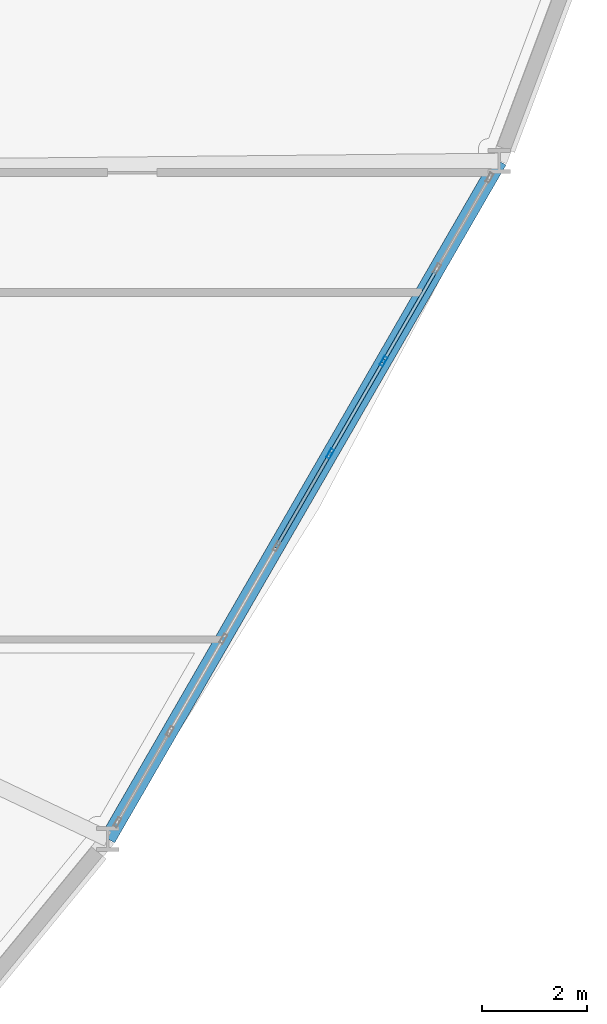
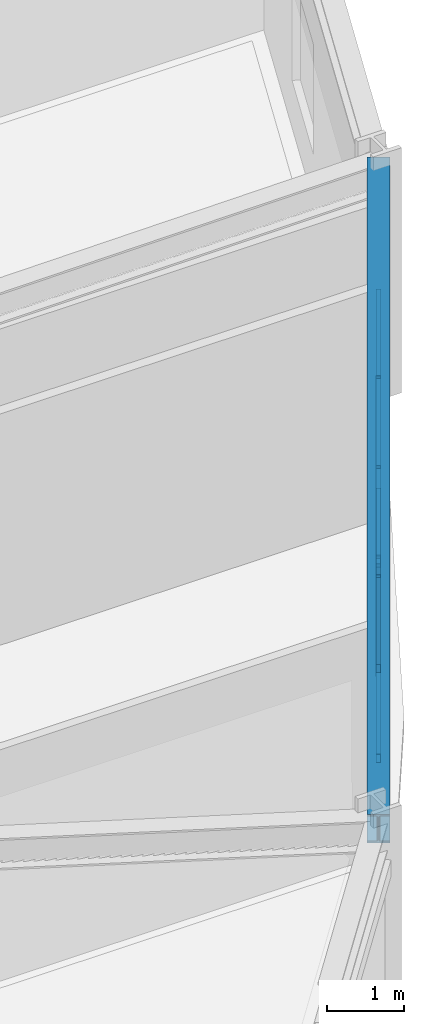
# One storey, part 7 of 20: 9 members, 1 beam, 1 element without a shape of its own.
"""IFC4 building model written with IfcOpenShell, lengths in metres."""

from ifc_helpers import new_model, si_unit, derived_unit, direction, frame, origin, origin_2d, place, context, subcontext, project, spatial, hollow_rectangle, i_section, extrude, source, transform, mapped, material, layer, layer_set, material_profile, profile_set, type_object, element, aggregate, save


model = new_model("IFC4")

# Units and contexts
model_context = context("Model", 3, precision=1e-05, world=origin(), true_north=direction((0.0, 1.0)))
body_context = subcontext(model_context, "Body", "Model", "MODEL_VIEW")
ifc_project = project(units=[si_unit("LENGTHUNIT", "METRE"), si_unit("AREAUNIT", "SQUARE_METRE"), si_unit("VOLUMEUNIT", "CUBIC_METRE"), si_unit("PLANEANGLEUNIT", "RADIAN"), si_unit("MASSUNIT", "GRAM", prefix="KILO"), derived_unit("THERMALTRANSMITTANCEUNIT", [(si_unit("POWERUNIT", "WATT"), 1), (si_unit("LENGTHUNIT", "METRE"), -2), (si_unit("THERMODYNAMICTEMPERATUREUNIT", "KELVIN"), -1)])], contexts=[model_context])

# Site, building, storey
site_placement = place(None, origin())
site = spatial("IfcSite", under=ifc_project, at=site_placement, CompositionType="ELEMENT")
building_placement = place(site_placement, origin())
building = spatial("IfcBuilding", under=site, at=building_placement, Name="Korsvarv Bourse and Concert Hall", CompositionType="ELEMENT")
storey_placement = place(building_placement, frame((0.0, 0.0, 75.60009765625)))
storey = spatial("IfcBuildingStorey", under=building, at=storey_placement, Name="L18", CompositionType="ELEMENT", Elevation=75.60009765625)

# Beam
ifc_material_1 = material(Name="Steel S355", Category="steel")
ifc_material_profile_1 = material_profile(ifc_material_1, i_section(OverallWidth=0.300048828125, OverallDepth=0.449951171875, WebThickness=0.013916015625, FlangeThickness=0.02587890625, FilletRadius=0.02099609375, at=origin_2d()), Name="HEB 450")
ifc_profile_set_1 = profile_set([ifc_material_profile_1], Name="Steel S355")
beam_type = type_object("IfcBeamType", Name="BM-HEB450", PredefinedType="SPANDREL", material=ifc_profile_set_1)
shared_shape_1 = source(origin(), body_context, "Body", "SweptSolid", [
    extrude(i_section(OverallWidth=0.300048828125, OverallDepth=0.449951171875, WebThickness=0.013916015625, FlangeThickness=0.02587890625, FilletRadius=0.02099609375, at=origin_2d()), origin(), (0.0, 0.0, 1.0), 14.937255859375),
])
beam_placement = place(storey_placement, frame((53.671630859375, 19.59814453125, 3.454833984375), z_axis=(0.500006357572, 0.866021733208, 0.0), x_axis=(-0.866021733208, 0.500006357572, 0.0)))
element("IfcBeam", 1, at=beam_placement, inside=storey, type_object=beam_type, Name="L18 beam B-08", PredefinedType="SPANDREL", context=body_context, shape_type="MappedRepresentation", body=[
    mapped(shared_shape_1, transform((0.0, 0.0, 0.0), scale=1.0)),
])

# Curtain wall, members
ifc_material_2 = material(Name="Anodised aluminium and triple low-E glazing", Category="glass")
ifc_layer = layer(ifc_material_2, 0.219970703125)
ifc_layer_set = layer_set([ifc_layer], Name="Anodised aluminium and triple low-E glazing")
curtain_wall_type = type_object("IfcCurtainWallType", Name="CW-SYS-1", PredefinedType="NOTDEFINED", material=ifc_layer_set)
curtain_wall_placement = place(storey_placement, origin())
curtain_wall = element("IfcCurtainWall", 2, at=curtain_wall_placement, inside=storey, type_object=curtain_wall_type, Name="L18 CW1 curtain wall CW-L18-F11", PredefinedType="NOTDEFINED")
ifc_material_3 = material(Name="Extruded aluminium EN AW-6063 T66", Category="aluminium")
ifc_material_profile_2 = material_profile(ifc_material_3, hollow_rectangle(XDim=0.070068359375, YDim=0.18994140625, WallThickness=0.0048828125, at=origin_2d()), Name="ALU-M 70x190")
ifc_profile_set_2 = profile_set([ifc_material_profile_2], Name="Extruded aluminium EN AW-6063 T66")
member_type_1 = type_object("IfcMemberType", Name="CWM-190", PredefinedType="MULLION", material=ifc_profile_set_2)
shared_shape_2 = source(origin(), body_context, "Body", "SweptSolid", [
    extrude(hollow_rectangle(XDim=0.070068359375, YDim=0.18994140625, WallThickness=0.0048828125, at=origin_2d()), origin(), (0.0, 0.0, 1.0), 3.22998046875),
])
member_1_placement = place(storey_placement, frame((57.915771484375, 26.94921875, 0.0), z_axis=(0.0, 0.0, 1.0), x_axis=(-0.866024243871, 0.500002009023, 0.0)))
member_1 = element("IfcMember", 3, at=member_1_placement, type_object=member_type_1, Name="CW1 mullion 5", PredefinedType="MULLION", context=body_context, shape_type="MappedRepresentation", body=[
    mapped(shared_shape_2, transform((0.0, 0.0, 0.0), scale=1.0)),
])
member_2_placement = place(storey_placement, frame((58.935302734375, 28.715087890625, 0.0), z_axis=(0.0, 0.0, 1.0), x_axis=(-0.866024243871, 0.500002009023, 0.0)))
member_2 = element("IfcMember", 4, at=member_2_placement, type_object=member_type_1, Name="CW1 mullion 6", PredefinedType="MULLION", context=body_context, shape_type="MappedRepresentation", body=[
    mapped(shared_shape_2, transform((0.0, 0.0, 0.0), scale=1.0)),
])
ifc_material_profile_3 = material_profile(ifc_material_3, hollow_rectangle(XDim=0.06494140625, YDim=0.139892578125, WallThickness=0.00390625, at=origin_2d()), Name="ALU-T 65x140")
ifc_profile_set_3 = profile_set([ifc_material_profile_3], Name="Extruded aluminium EN AW-6063 T66")
member_type_2 = type_object("IfcMemberType", Name="CWT-140", PredefinedType="USERDEFINED", material=ifc_profile_set_3)
shared_shape_3 = source(origin(), body_context, "Body", "SweptSolid", [
    extrude(hollow_rectangle(XDim=0.06494140625, YDim=0.139892578125, WallThickness=0.00390625, at=origin_2d()), origin(), (0.0, 0.0, 1.0), 1.969482421875),
])
member_3_placement = place(storey_placement, frame((56.91357421875, 25.21337890625, 0.032470703125), z_axis=(0.499965693083, 0.866045209986, 0.0), x_axis=(-0.866045209986, 0.499965693083, 0.0)))
member_3 = element("IfcMember", 5, at=member_3_placement, type_object=member_type_2, Name="CW1 transom 4.1", ObjectType="TRANSOM", PredefinedType="USERDEFINED", context=body_context, shape_type="MappedRepresentation", body=[
    mapped(shared_shape_3, transform((0.0, 0.0, 0.0), scale=1.0)),
])
member_4_placement = place(storey_placement, frame((56.91357421875, 25.21337890625, 3.197509765625), z_axis=(0.499965693083, 0.866045209986, 0.0), x_axis=(-0.866045209986, 0.499965693083, 0.0)))
member_4 = element("IfcMember", 6, at=member_4_placement, type_object=member_type_2, Name="CW1 transom 4.2", ObjectType="TRANSOM", PredefinedType="USERDEFINED", context=body_context, shape_type="MappedRepresentation", body=[
    mapped(shared_shape_3, transform((0.0, 0.0, 0.0), scale=1.0)),
])
member_5_placement = place(storey_placement, frame((58.952880859375, 28.745361328125, 0.032470703125), z_axis=(0.499965693083, 0.866045209986, 0.0), x_axis=(-0.866045209986, 0.499965693083, 0.0)))
member_5 = element("IfcMember", 7, at=member_5_placement, type_object=member_type_2, Name="CW1 transom 6.1", ObjectType="TRANSOM", PredefinedType="USERDEFINED", context=body_context, shape_type="MappedRepresentation", body=[
    mapped(shared_shape_3, transform((0.0, 0.0, 0.0), scale=1.0)),
])
member_6_placement = place(storey_placement, frame((58.952880859375, 28.745361328125, 3.197509765625), z_axis=(0.499965693083, 0.866045209986, 0.0), x_axis=(-0.866045209986, 0.499965693083, 0.0)))
member_6 = element("IfcMember", 8, at=member_6_placement, type_object=member_type_2, Name="CW1 transom 6.2", ObjectType="TRANSOM", PredefinedType="USERDEFINED", context=body_context, shape_type="MappedRepresentation", body=[
    mapped(shared_shape_3, transform((0.0, 0.0, 0.0), scale=1.0)),
])
shared_shape_4 = source(origin(), body_context, "Body", "SweptSolid", [
    extrude(hollow_rectangle(XDim=0.06494140625, YDim=0.139892578125, WallThickness=0.00390625, at=origin_2d()), origin(), (0.0, 0.0, 1.0), 1.96923828125),
])
member_7_placement = place(storey_placement, frame((57.933349609375, 26.9794921875, 0.032470703125), z_axis=(0.500019375444, 0.866014217078, 0.0), x_axis=(-0.866014217078, 0.500019375444, 0.0)))
member_7 = element("IfcMember", 9, at=member_7_placement, type_object=member_type_2, Name="CW1 transom 5.1", ObjectType="TRANSOM", PredefinedType="USERDEFINED", context=body_context, shape_type="MappedRepresentation", body=[
    mapped(shared_shape_4, transform((0.0, 0.0, 0.0), scale=1.0)),
])
member_8_placement = place(storey_placement, frame((57.933349609375, 26.9794921875, 3.197509765625), z_axis=(0.500019375444, 0.866014217078, 0.0), x_axis=(-0.866014217078, 0.500019375444, 0.0)))
member_8 = element("IfcMember", 10, at=member_8_placement, type_object=member_type_2, Name="CW1 transom 5.2", ObjectType="TRANSOM", PredefinedType="USERDEFINED", context=body_context, shape_type="MappedRepresentation", body=[
    mapped(shared_shape_4, transform((0.0, 0.0, 0.0), scale=1.0)),
])
ifc_material_profile_4 = material_profile(ifc_material_3, hollow_rectangle(XDim=0.06494140625, YDim=0.1650390625, WallThickness=0.0048828125, at=origin_2d()), Name="ALU-M 65x165")
ifc_profile_set_4 = profile_set([ifc_material_profile_4], Name="Extruded aluminium EN AW-6063 T66")
member_type_3 = type_object("IfcMemberType", Name="CWM-165", PredefinedType="MULLION", material=ifc_profile_set_4)
shared_shape_5 = source(origin(), body_context, "Body", "SweptSolid", [
    extrude(hollow_rectangle(XDim=0.06494140625, YDim=0.1650390625, WallThickness=0.0048828125, at=origin_2d()), origin(), (0.0, 0.0, 1.0), 3.672607421875),
])
member_9_placement = place(storey_placement, frame((57.898193359375, 26.9189453125, 0.06494140625), z_axis=(-0.268103305098, -0.464411031345, 0.844063393212), x_axis=(0.866045209986, -0.499965693083, 0.0)))
member_9 = element("IfcMember", 11, at=member_9_placement, type_object=member_type_3, Name="CW1 diagonal mullion 4", PredefinedType="MULLION", context=body_context, shape_type="MappedRepresentation", body=[
    mapped(shared_shape_5, transform((0.0, 0.0, 0.0), scale=1.0)),
])
aggregate(curtain_wall, [member_1, member_2, member_3, member_4, member_9, member_7, member_8, member_5, member_6])

save(model, "model.ifc")
